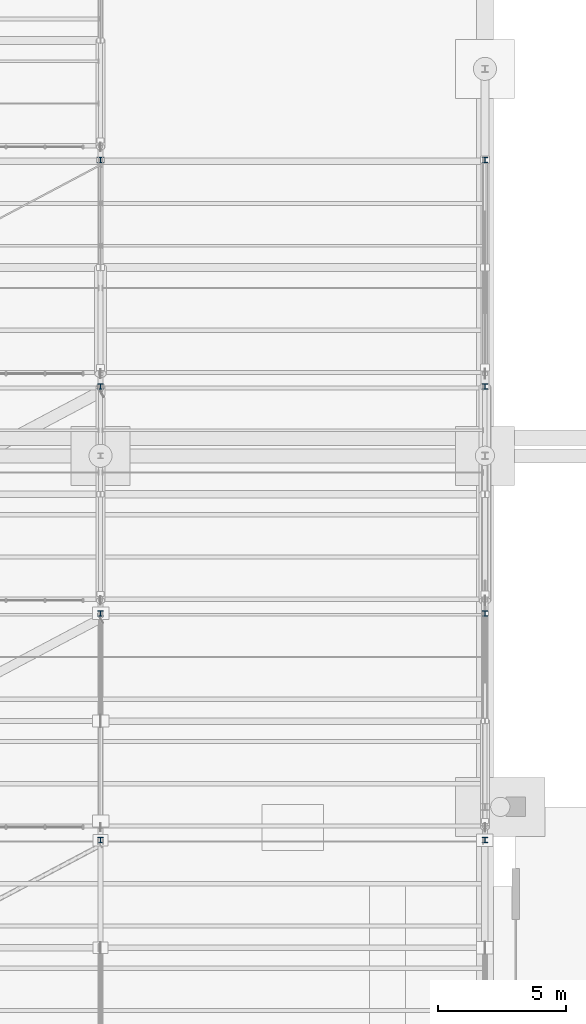
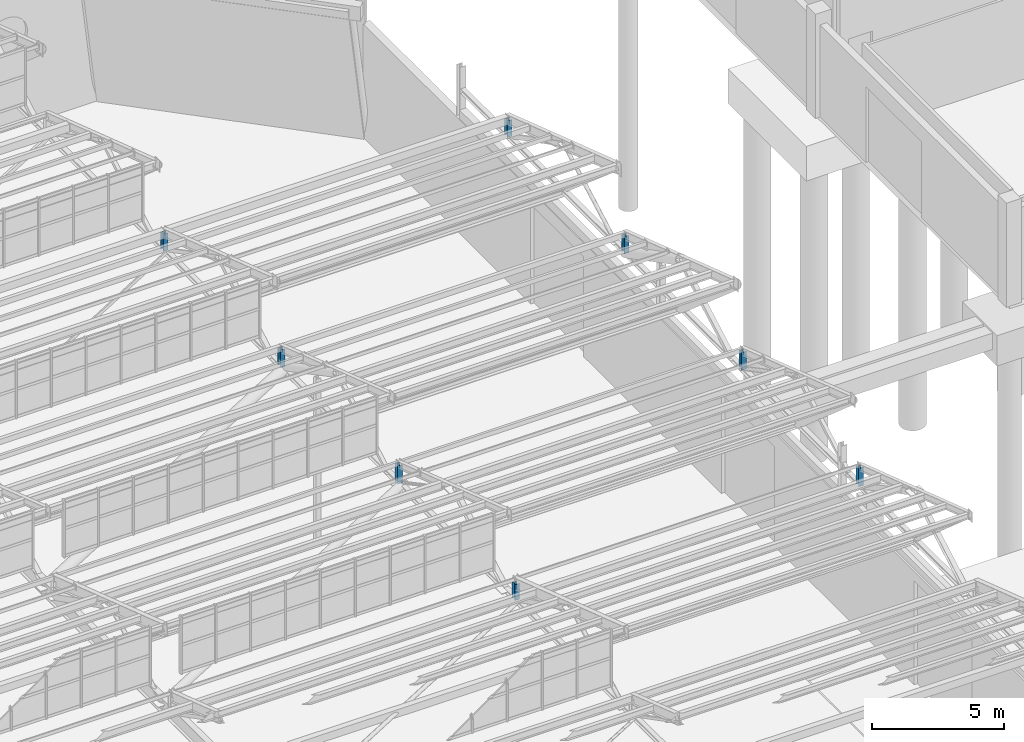
# One storey, part 155 of 285: 8 members.
"""IFC4 building model written with IfcOpenShell, lengths in metres."""

from ifc_helpers import new_model, si_unit, direction, frame, origin, origin_2d, place, context, subcontext, project, spatial, i_section, extrude, material, material_profile, profile_set, type_object, element, save


model = new_model("IFC4")

# Units and contexts
model_context = context("Model", 3, precision=1e-05, world=origin(), true_north=direction((0.0, 1.0)))
body_context = subcontext(model_context, "Body", "Model", "MODEL_VIEW")
ifc_project = project(units=[si_unit("LENGTHUNIT", "METRE"), si_unit("AREAUNIT", "SQUARE_METRE"), si_unit("VOLUMEUNIT", "CUBIC_METRE"), si_unit("PLANEANGLEUNIT", "RADIAN"), si_unit("MASSUNIT", "GRAM", prefix="KILO")], contexts=[model_context])

# Site, building, storey
site_placement = place(None, origin())
site = spatial("IfcSite", under=ifc_project, at=site_placement, CompositionType="ELEMENT")
building_placement = place(site_placement, origin())
building = spatial("IfcBuilding", under=site, at=building_placement, Name="Solanera Park Tramway Depot", CompositionType="ELEMENT")
storey_placement = place(building_placement, origin())
storey = spatial("IfcBuildingStorey", under=building, at=storey_placement, Name="L00", CompositionType="ELEMENT", Elevation=0.0)

# Members
ifc_material = material(Name="Steel AS/NZS 3679.1 Grade 350", Category="steel")
ifc_material_profile = material_profile(ifc_material, i_section(OverallWidth=0.205078125, OverallDepth=0.209716796875, WebThickness=0.00927734375, FlangeThickness=0.01416015625, at=origin_2d()), Name="200UC59.5")
ifc_profile_set = profile_set([ifc_material_profile], Name="Steel AS/NZS 3679.1 Grade 350")
member_type = type_object("IfcMemberType", Name="Roof Gantry Compression Strut 200UC59.5", PredefinedType="STRUT", material=ifc_profile_set)
member_1_placement = place(storey_placement, frame((135.0, 99.5, 6.5), z_axis=(0.0, 0.0, 1.0), x_axis=(1.0, 0.0, 0.0)))
element("IfcMember", 1, at=member_1_placement, inside=storey, type_object=member_type, Name="Sawtooth ROOF TRUSS Valley Post 200UC59.5 #0050", PredefinedType="STRUT", context=body_context, shape_type="SweptSolid", body=[
    extrude(i_section(OverallWidth=0.205078125, OverallDepth=0.209716796875, WebThickness=0.00927734375, FlangeThickness=0.01416015625, at=origin_2d()), origin(), (0.0, 0.0, 1.0), 0.724365234375),
])
for number, where, z_axis, x_axis, name in (
    (2, (150.0, 99.5, 6.5), (0.0, 0.0, 1.0), (1.0, 0.0, 0.0), "Sawtooth ROOF TRUSS Valley Post 200UC59.5 #0051"),
    (3, (135.0, 108.35009765625, 6.5), (0.0, 0.0, 1.0), (1.0, 0.0, 0.0), "Sawtooth ROOF TRUSS Valley Post 200UC59.5 #0061"),
):
    element("IfcMember", number, at=place(storey_placement, frame(where, z_axis=z_axis, x_axis=x_axis)), inside=storey, type_object=member_type, Name=name, PredefinedType="STRUT", context=body_context, shape_type="SweptSolid", body=[
        extrude(i_section(OverallWidth=0.205078125, OverallDepth=0.209716796875, WebThickness=0.00927734375, FlangeThickness=0.01416015625, at=origin_2d()), origin(), (0.0, 0.0, 1.0), 0.83740234375),
    ])
for number, where, z_axis, x_axis, name in (
    (4, (150.0, 108.35009765625, 6.5), (0.0, 0.0, 1.0), (1.0, 0.0, 0.0), "Sawtooth ROOF TRUSS Valley Post 200UC59.5 #0062"),
    (5, (135.0, 117.199951171875, 6.5), (0.0, 0.0, 1.0), (1.0, 0.0, 0.0), "Sawtooth ROOF TRUSS Valley Post 200UC59.5 #0072"),
):
    element("IfcMember", number, at=place(storey_placement, frame(where, z_axis=z_axis, x_axis=x_axis)), inside=storey, type_object=member_type, Name=name, PredefinedType="STRUT", context=body_context, shape_type="SweptSolid", body=[
        extrude(i_section(OverallWidth=0.205078125, OverallDepth=0.209716796875, WebThickness=0.00927734375, FlangeThickness=0.01416015625, at=origin_2d()), origin(), (0.0, 0.0, 1.0), 0.81298828125),
    ])
for number, where, z_axis, x_axis, name in (
    (6, (150.0, 117.199951171875, 6.5), (0.0, 0.0, 1.0), (1.0, 0.0, 0.0), "Sawtooth ROOF TRUSS Valley Post 200UC59.5 #0073"),
    (7, (135.0, 126.050048828125, 6.5), (0.0, 0.0, 1.0), (1.0, 0.0, 0.0), "Sawtooth ROOF TRUSS Valley Post 200UC59.5 #0083"),
):
    element("IfcMember", number, at=place(storey_placement, frame(where, z_axis=z_axis, x_axis=x_axis)), inside=storey, type_object=member_type, Name=name, PredefinedType="STRUT", context=body_context, shape_type="SweptSolid", body=[
        extrude(i_section(OverallWidth=0.205078125, OverallDepth=0.209716796875, WebThickness=0.00927734375, FlangeThickness=0.01416015625, at=origin_2d()), origin(), (0.0, 0.0, 1.0), 0.78759765625),
    ])
member_2_placement = place(storey_placement, frame((150.0, 126.050048828125, 6.5), z_axis=(0.0, 0.0, 1.0), x_axis=(1.0, 0.0, 0.0)))
element("IfcMember", 8, at=member_2_placement, inside=storey, type_object=member_type, Name="Sawtooth ROOF TRUSS Valley Post 200UC59.5 #0084", PredefinedType="STRUT", context=body_context, shape_type="SweptSolid", body=[
    extrude(i_section(OverallWidth=0.205078125, OverallDepth=0.209716796875, WebThickness=0.00927734375, FlangeThickness=0.01416015625, at=origin_2d()), origin(), (0.0, 0.0, 1.0), 0.76220703125),
])

save(model, "model.ifc")
